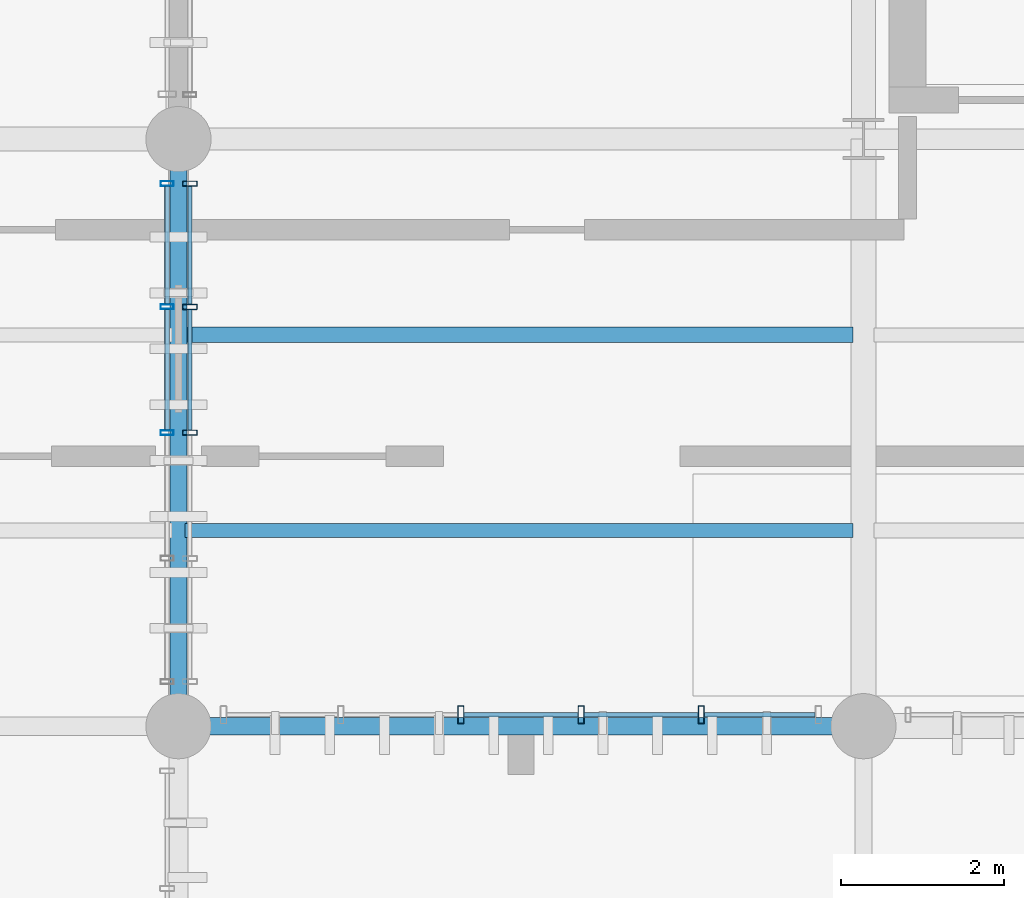
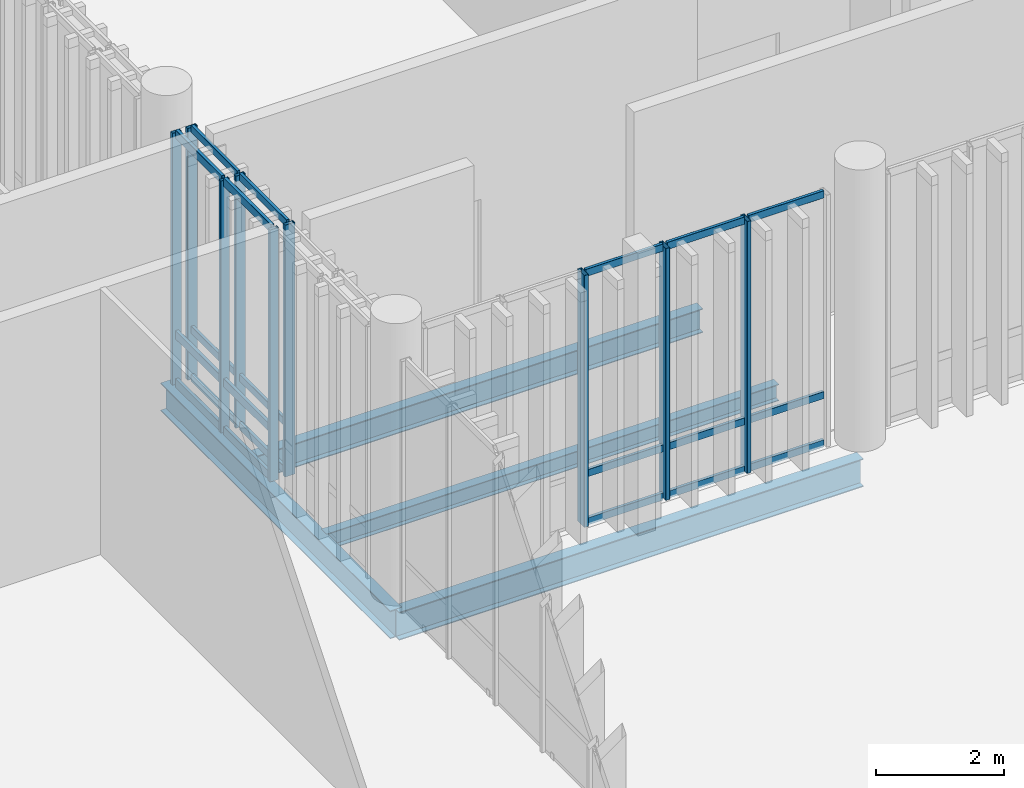
# One storey, part 32 of 112: 30 members, 4 beams, 3 elements without a shape of their own.
"""IFC4 building model written with IfcOpenShell, lengths in metres."""

from ifc_helpers import new_model, si_unit, direction, frame, origin_with_axes, origin_2d_with_axis, place, context, subcontext, project, spatial, hollow_rectangle, i_section, extrude, material, material_profile, profile_set, type_object, element, aggregate, save


model = new_model("IFC4")

# Units and contexts
model_context = context("Model", 3, precision=1e-05, world=origin_with_axes(), true_north=direction((0.0, 1.0)))
body_context = subcontext(model_context, "Body", "Model", "MODEL_VIEW")
ifc_project = project(units=[si_unit("LENGTHUNIT", "METRE"), si_unit("AREAUNIT", "SQUARE_METRE"), si_unit("VOLUMEUNIT", "CUBIC_METRE"), si_unit("PLANEANGLEUNIT", "RADIAN"), si_unit("MASSUNIT", "GRAM", prefix="KILO"), si_unit("THERMODYNAMICTEMPERATUREUNIT", "KELVIN")], contexts=[model_context])

# Site, building, storey
site_placement = place(None, origin_with_axes())
site = spatial("IfcSite", under=ifc_project, at=site_placement, CompositionType="ELEMENT")
building_placement = place(site_placement, origin_with_axes())
building = spatial("IfcBuilding", under=site, at=building_placement, Name="Montbau Bow Law Courts", CompositionType="ELEMENT")
storey_placement = place(building_placement, origin_with_axes())
storey = spatial("IfcBuildingStorey", under=building, at=storey_placement, Name="L00", CompositionType="ELEMENT", Elevation=0.0)

# Beams
ifc_material_1 = material(Name="Steel CSA G40.21 Grade 350W (350 MPa)", Category="steel")
ifc_material_profile_1 = material_profile(ifc_material_1, i_section(OverallWidth=0.21, OverallDepth=0.537, WebThickness=0.0109, FlangeThickness=0.0174, at=origin_2d_with_axis()), Name="W530X101", Category="Main", Priority=0)
ifc_profile_set_1 = profile_set([ifc_material_profile_1], Name="Steel CSA G40.21 Grade 350W (350 MPa)")
beam_type_1 = type_object("IfcBeamType", Name="B-FLR-06", PredefinedType="BEAM", material=ifc_profile_set_1)
beam_1_placement = place(None, frame((46.8, 39.0, -0.609), z_axis=(1.0, 0.0, 0.0), x_axis=(0.0, 1.0, 0.0)))
element("IfcBeam", 1, at=beam_1_placement, inside=storey, type_object=beam_type_1, Name="BM-L00-S0188:bm2_0191", PredefinedType="BEAM", context=body_context, shape_type="SweptSolid", body=[
    extrude(i_section(OverallWidth=0.21, OverallDepth=0.537, WebThickness=0.0109, FlangeThickness=0.0174, at=origin_2d_with_axis()), origin_with_axes(), (0.0, 0.0, 1.0), 8.4),
])
beam_2_placement = place(None, frame((46.8, 39.0, -0.609), z_axis=(0.0, 1.0, 0.0), x_axis=(-1.0, 0.0, 0.0)))
element("IfcBeam", 2, at=beam_2_placement, inside=storey, type_object=beam_type_1, Name="BM-L00-S0271:bm2_0274", PredefinedType="BEAM", context=body_context, shape_type="SweptSolid", body=[
    extrude(i_section(OverallWidth=0.21, OverallDepth=0.537, WebThickness=0.0109, FlangeThickness=0.0174, at=origin_2d_with_axis()), origin_with_axes(), (0.0, 0.0, 1.0), 7.2),
])
ifc_material_profile_2 = material_profile(ifc_material_1, i_section(OverallWidth=0.191, OverallDepth=0.46, WebThickness=0.0099, FlangeThickness=0.016, at=origin_2d_with_axis()), Name="W460X82", Category="Main", Priority=0)
ifc_profile_set_2 = profile_set([ifc_material_profile_2], Name="Steel CSA G40.21 Grade 350W (350 MPa)")
beam_type_2 = type_object("IfcBeamType", Name="B-JST-01", PredefinedType="JOIST", material=ifc_profile_set_2)
beam_3_placement = place(None, frame((46.881, 43.8, -0.57), z_axis=(1.0, 0.0, 0.0), x_axis=(0.0, 1.0, 0.0)))
element("IfcBeam", 3, at=beam_3_placement, inside=storey, type_object=beam_type_2, Name="JST-L00-S0048:jst2_0048", PredefinedType="JOIST", context=body_context, shape_type="SweptSolid", body=[
    extrude(i_section(OverallWidth=0.191, OverallDepth=0.46, WebThickness=0.0099, FlangeThickness=0.016, at=origin_2d_with_axis()), origin_with_axes(), (0.0, 0.0, 1.0), 8.19),
])
ifc_material_profile_3 = material_profile(ifc_material_1, i_section(OverallWidth=0.166, OverallDepth=0.313, WebThickness=0.0066, FlangeThickness=0.0112, at=origin_2d_with_axis()), Name="W310X45", Category="Main", Priority=0)
ifc_profile_set_3 = profile_set([ifc_material_profile_3], Name="Steel CSA G40.21 Grade 350W (350 MPa)")
beam_type_3 = type_object("IfcBeamType", Name="B-JST-04", PredefinedType="JOIST", material=ifc_profile_set_3)
beam_4_placement = place(None, frame((46.881, 41.4, -0.497), z_axis=(1.0, 0.0, 0.0), x_axis=(0.0, 1.0, 0.0)))
element("IfcBeam", 4, at=beam_4_placement, inside=storey, type_object=beam_type_3, Name="JST-L00-S0047:jst2_0047", PredefinedType="JOIST", context=body_context, shape_type="SweptSolid", body=[
    extrude(i_section(OverallWidth=0.166, OverallDepth=0.313, WebThickness=0.0066, FlangeThickness=0.0112, at=origin_2d_with_axis()), origin_with_axes(), (0.0, 0.0, 1.0), 8.19),
])

# Curtain wall, members
ifc_material_2 = material(Name="Thermally Broken Extruded Aluminium AA 6063-T6", Category="aluminium")
curtain_wall_type_1 = type_object("IfcCurtainWallType", Name="CW-CRM-01", PredefinedType="NOTDEFINED", material=ifc_material_2)
curtain_wall_1_placement = place(None, frame((47.315, 39.14, 0.0), z_axis=(0.0, 0.0, 1.0), x_axis=(1.0, 0.0, 0.0)))
curtain_wall_1 = element("IfcCurtainWall", 5, at=curtain_wall_1_placement, inside=storey, type_object=curtain_wall_type_1, Name="CW-L00-123:cw_0123", PredefinedType="NOTDEFINED")
ifc_material_profile_4 = material_profile(ifc_material_2, hollow_rectangle(XDim=0.075, YDim=0.22, WallThickness=0.005, InnerFilletRadius=0.01, OuterFilletRadius=0.005, at=origin_2d_with_axis()), Name="CWM-220X75", Category="Main", Priority=0)
ifc_profile_set_4 = profile_set([ifc_material_profile_4], Name="Thermally Broken Extruded Aluminium AA 6063-T6")
member_type_1 = type_object("IfcMemberType", Name="M-MUL-01", PredefinedType="MULLION", material=ifc_profile_set_4)
member_1_placement = place(None, frame((50.263, 39.14, 0.0), z_axis=(0.0, 0.0, 1.0), x_axis=(1.0, 0.0, 0.0)))
member_1 = element("IfcMember", 6, at=member_1_placement, type_object=member_type_1, Name="CW-L00-123-M03:cw_0123_M03", PredefinedType="MULLION", context=body_context, shape_type="SweptSolid", body=[
    extrude(hollow_rectangle(XDim=0.075, YDim=0.22, WallThickness=0.005, InnerFilletRadius=0.01, OuterFilletRadius=0.005, at=origin_2d_with_axis()), origin_with_axes(), (0.0, 0.0, 1.0), 4.82),
])
member_2_placement = place(None, frame((51.737, 39.14, 0.0), z_axis=(0.0, 0.0, 1.0), x_axis=(1.0, 0.0, 0.0)))
member_2 = element("IfcMember", 7, at=member_2_placement, type_object=member_type_1, Name="CW-L00-123-M04:cw_0123_M04", PredefinedType="MULLION", context=body_context, shape_type="SweptSolid", body=[
    extrude(hollow_rectangle(XDim=0.075, YDim=0.22, WallThickness=0.005, InnerFilletRadius=0.01, OuterFilletRadius=0.005, at=origin_2d_with_axis()), origin_with_axes(), (0.0, 0.0, 1.0), 4.82),
])
member_3_placement = place(None, frame((53.211, 39.14, 0.0), z_axis=(0.0, 0.0, 1.0), x_axis=(1.0, 0.0, 0.0)))
member_3 = element("IfcMember", 8, at=member_3_placement, type_object=member_type_1, Name="CW-L00-123-M05:cw_0123_M05", PredefinedType="MULLION", context=body_context, shape_type="SweptSolid", body=[
    extrude(hollow_rectangle(XDim=0.075, YDim=0.22, WallThickness=0.005, InnerFilletRadius=0.01, OuterFilletRadius=0.005, at=origin_2d_with_axis()), origin_with_axes(), (0.0, 0.0, 1.0), 4.82),
])

curtain_wall_2_placement = place(None, frame((46.94, 39.515, 0.0), z_axis=(0.0, 0.0, 1.0), x_axis=(1.0, 0.0, 0.0)))
curtain_wall_2 = element("IfcCurtainWall", 9, at=curtain_wall_2_placement, inside=storey, type_object=curtain_wall_type_1, Name="CW-L00-133:cw_0133", PredefinedType="NOTDEFINED")
ifc_material_profile_5 = material_profile(ifc_material_2, hollow_rectangle(XDim=0.065, YDim=0.18, WallThickness=0.005, InnerFilletRadius=0.01, OuterFilletRadius=0.005, at=origin_2d_with_axis()), Name="CWM-180X65", Category="Main", Priority=0)
ifc_profile_set_5 = profile_set([ifc_material_profile_5], Name="Thermally Broken Extruded Aluminium AA 6063-T6")
member_type_2 = type_object("IfcMemberType", Name="M-MUL-02", PredefinedType="MULLION", material=ifc_profile_set_5)
member_4_placement = place(None, frame((46.94, 42.6, 0.0), z_axis=(0.0, 0.0, 1.0), x_axis=(0.0, 1.0, 0.0)))
member_4 = element("IfcMember", 10, at=member_4_placement, type_object=member_type_2, Name="CW-L00-133-M03:cw_0133_M03", PredefinedType="MULLION", context=body_context, shape_type="SweptSolid", body=[
    extrude(hollow_rectangle(XDim=0.065, YDim=0.18, WallThickness=0.005, InnerFilletRadius=0.01, OuterFilletRadius=0.005, at=origin_2d_with_axis()), origin_with_axes(), (0.0, 0.0, 1.0), 4.82),
])
member_5_placement = place(None, frame((46.94, 44.143, 0.0), z_axis=(0.0, 0.0, 1.0), x_axis=(0.0, 1.0, 0.0)))
member_5 = element("IfcMember", 11, at=member_5_placement, type_object=member_type_2, Name="CW-L00-133-M04:cw_0133_M04", PredefinedType="MULLION", context=body_context, shape_type="SweptSolid", body=[
    extrude(hollow_rectangle(XDim=0.065, YDim=0.18, WallThickness=0.005, InnerFilletRadius=0.01, OuterFilletRadius=0.005, at=origin_2d_with_axis()), origin_with_axes(), (0.0, 0.0, 1.0), 4.82),
])
member_6_placement = place(None, frame((46.94, 45.653, 0.0), z_axis=(0.0, 0.0, 1.0), x_axis=(0.0, 1.0, 0.0)))
member_6 = element("IfcMember", 12, at=member_6_placement, type_object=member_type_2, Name="CW-L00-133-M05:cw_0133_M05", PredefinedType="MULLION", context=body_context, shape_type="SweptSolid", body=[
    extrude(hollow_rectangle(XDim=0.065, YDim=0.18, WallThickness=0.005, InnerFilletRadius=0.01, OuterFilletRadius=0.005, at=origin_2d_with_axis()), origin_with_axes(), (0.0, 0.0, 1.0), 4.82),
])

curtain_wall_type_2 = type_object("IfcCurtainWallType", Name="CW-TRC-01", PredefinedType="NOTDEFINED", material=ifc_material_2)
curtain_wall_3_placement = place(None, frame((46.66, 39.515, 0.0), z_axis=(0.0, 0.0, 1.0), x_axis=(1.0, 0.0, 0.0)))
curtain_wall_3 = element("IfcCurtainWall", 13, at=curtain_wall_3_placement, inside=storey, type_object=curtain_wall_type_2, Name="CW-L00-014:cw_0014", PredefinedType="NOTDEFINED")
ifc_material_profile_6 = material_profile(ifc_material_2, hollow_rectangle(XDim=0.06, YDim=0.16, WallThickness=0.004, InnerFilletRadius=0.008, OuterFilletRadius=0.004, at=origin_2d_with_axis()), Name="CWM-160X60", Category="Main", Priority=0)
ifc_profile_set_6 = profile_set([ifc_material_profile_6], Name="Thermally Broken Extruded Aluminium AA 6063-T6")
member_type_3 = type_object("IfcMemberType", Name="M-MUL-03", PredefinedType="MULLION", material=ifc_profile_set_6)
member_7_placement = place(None, frame((46.66, 42.6, 0.0), z_axis=(0.0, 0.0, 1.0), x_axis=(0.0, 1.0, 0.0)))
member_7 = element("IfcMember", 14, at=member_7_placement, type_object=member_type_3, Name="CW-L00-014-M03:cw_0014_M03", PredefinedType="MULLION", context=body_context, shape_type="SweptSolid", body=[
    extrude(hollow_rectangle(XDim=0.06, YDim=0.16, WallThickness=0.004, InnerFilletRadius=0.008, OuterFilletRadius=0.004, at=origin_2d_with_axis()), origin_with_axes(), (0.0, 0.0, 1.0), 4.82),
])
member_8_placement = place(None, frame((46.66, 44.143, 0.0), z_axis=(0.0, 0.0, 1.0), x_axis=(0.0, 1.0, 0.0)))
member_8 = element("IfcMember", 15, at=member_8_placement, type_object=member_type_3, Name="CW-L00-014-M04:cw_0014_M04", PredefinedType="MULLION", context=body_context, shape_type="SweptSolid", body=[
    extrude(hollow_rectangle(XDim=0.06, YDim=0.16, WallThickness=0.004, InnerFilletRadius=0.008, OuterFilletRadius=0.004, at=origin_2d_with_axis()), origin_with_axes(), (0.0, 0.0, 1.0), 4.82),
])
member_9_placement = place(None, frame((46.66, 45.655, 0.0), z_axis=(0.0, 0.0, 1.0), x_axis=(0.0, 1.0, 0.0)))
member_9 = element("IfcMember", 16, at=member_9_placement, type_object=member_type_3, Name="CW-L00-014-M05:cw_0014_M05", PredefinedType="MULLION", context=body_context, shape_type="SweptSolid", body=[
    extrude(hollow_rectangle(XDim=0.06, YDim=0.16, WallThickness=0.004, InnerFilletRadius=0.008, OuterFilletRadius=0.004, at=origin_2d_with_axis()), origin_with_axes(), (0.0, 0.0, 1.0), 4.82),
])
ifc_material_profile_7 = material_profile(ifc_material_2, hollow_rectangle(XDim=0.06, YDim=0.16, WallThickness=0.004, InnerFilletRadius=0.008, OuterFilletRadius=0.004, at=origin_2d_with_axis()), Name="CWT-160X60", Category="Main", Priority=0)
ifc_profile_set_7 = profile_set([ifc_material_profile_7], Name="Thermally Broken Extruded Aluminium AA 6063-T6")
member_type_4 = type_object("IfcMemberType", Name="M-TRN-01", PredefinedType="USERDEFINED", material=ifc_profile_set_7)
member_10_placement = place(None, frame((46.66, 42.632, 0.03), z_axis=(0.0, 1.0, 0.0), x_axis=(-1.0, 0.0, 0.0)))
member_10 = element("IfcMember", 17, at=member_10_placement, type_object=member_type_4, Name="CW-L00-014-T03-1:cw_0014_T03_1", ObjectType="TRANSOM", PredefinedType="USERDEFINED", context=body_context, shape_type="SweptSolid", body=[
    extrude(hollow_rectangle(XDim=0.06, YDim=0.16, WallThickness=0.004, InnerFilletRadius=0.008, OuterFilletRadius=0.004, at=origin_2d_with_axis()), origin_with_axes(), (0.0, 0.0, 1.0), 1.479),
])
member_11_placement = place(None, frame((46.66, 42.632, 0.95), z_axis=(0.0, 1.0, 0.0), x_axis=(-1.0, 0.0, 0.0)))
member_11 = element("IfcMember", 18, at=member_11_placement, type_object=member_type_4, Name="CW-L00-014-T03-2:cw_0014_T03_2", ObjectType="TRANSOM", PredefinedType="USERDEFINED", context=body_context, shape_type="SweptSolid", body=[
    extrude(hollow_rectangle(XDim=0.06, YDim=0.16, WallThickness=0.004, InnerFilletRadius=0.008, OuterFilletRadius=0.004, at=origin_2d_with_axis()), origin_with_axes(), (0.0, 0.0, 1.0), 1.479),
])
member_12_placement = place(None, frame((46.66, 42.632, 4.79), z_axis=(0.0, 1.0, 0.0), x_axis=(-1.0, 0.0, 0.0)))
member_12 = element("IfcMember", 19, at=member_12_placement, type_object=member_type_4, Name="CW-L00-014-T03-3:cw_0014_T03_3", ObjectType="TRANSOM", PredefinedType="USERDEFINED", context=body_context, shape_type="SweptSolid", body=[
    extrude(hollow_rectangle(XDim=0.06, YDim=0.16, WallThickness=0.004, InnerFilletRadius=0.008, OuterFilletRadius=0.004, at=origin_2d_with_axis()), origin_with_axes(), (0.0, 0.0, 1.0), 1.479),
])
member_13_placement = place(None, frame((46.66, 44.175, 0.03), z_axis=(0.0, 1.0, 0.0), x_axis=(-1.0, 0.0, 0.0)))
member_13 = element("IfcMember", 20, at=member_13_placement, type_object=member_type_4, Name="CW-L00-014-T04-1:cw_0014_T04_1", ObjectType="TRANSOM", PredefinedType="USERDEFINED", context=body_context, shape_type="SweptSolid", body=[
    extrude(hollow_rectangle(XDim=0.06, YDim=0.16, WallThickness=0.004, InnerFilletRadius=0.008, OuterFilletRadius=0.004, at=origin_2d_with_axis()), origin_with_axes(), (0.0, 0.0, 1.0), 1.448),
])
member_14_placement = place(None, frame((46.66, 44.175, 0.95), z_axis=(0.0, 1.0, 0.0), x_axis=(-1.0, 0.0, 0.0)))
member_14 = element("IfcMember", 21, at=member_14_placement, type_object=member_type_4, Name="CW-L00-014-T04-2:cw_0014_T04_2", ObjectType="TRANSOM", PredefinedType="USERDEFINED", context=body_context, shape_type="SweptSolid", body=[
    extrude(hollow_rectangle(XDim=0.06, YDim=0.16, WallThickness=0.004, InnerFilletRadius=0.008, OuterFilletRadius=0.004, at=origin_2d_with_axis()), origin_with_axes(), (0.0, 0.0, 1.0), 1.448),
])
member_15_placement = place(None, frame((46.66, 44.175, 4.79), z_axis=(0.0, 1.0, 0.0), x_axis=(-1.0, 0.0, 0.0)))
member_15 = element("IfcMember", 22, at=member_15_placement, type_object=member_type_4, Name="CW-L00-014-T04-3:cw_0014_T04_3", ObjectType="TRANSOM", PredefinedType="USERDEFINED", context=body_context, shape_type="SweptSolid", body=[
    extrude(hollow_rectangle(XDim=0.06, YDim=0.16, WallThickness=0.004, InnerFilletRadius=0.008, OuterFilletRadius=0.004, at=origin_2d_with_axis()), origin_with_axes(), (0.0, 0.0, 1.0), 1.448),
])
aggregate(curtain_wall_3, [member_7, member_8, member_9, member_10, member_11, member_12, member_13, member_14, member_15])

# Member
ifc_material_profile_8 = material_profile(ifc_material_2, hollow_rectangle(XDim=0.055, YDim=0.14, WallThickness=0.004, InnerFilletRadius=0.008, OuterFilletRadius=0.004, at=origin_2d_with_axis()), Name="CWT-140X55", Category="Main", Priority=0)
ifc_profile_set_8 = profile_set([ifc_material_profile_8], Name="Thermally Broken Extruded Aluminium AA 6063-T6")
member_type_5 = type_object("IfcMemberType", Name="M-TRN-02", PredefinedType="USERDEFINED", material=ifc_profile_set_8)
member_16_placement = place(None, frame((50.302, 39.14, 0.028), z_axis=(1.0, 0.0, 0.0), x_axis=(0.0, 1.0, 0.0)))
member_16 = element("IfcMember", 23, at=member_16_placement, type_object=member_type_5, Name="CW-L00-123-T03-1:cw_0123_T03_1", ObjectType="TRANSOM", PredefinedType="USERDEFINED", context=body_context, shape_type="SweptSolid", body=[
    extrude(hollow_rectangle(XDim=0.055, YDim=0.14, WallThickness=0.004, InnerFilletRadius=0.008, OuterFilletRadius=0.004, at=origin_2d_with_axis()), origin_with_axes(), (0.0, 0.0, 1.0), 1.396),
])

member_17_placement = place(None, frame((50.302, 39.14, 0.95), z_axis=(1.0, 0.0, 0.0), x_axis=(0.0, 1.0, 0.0)))
member_17 = element("IfcMember", 24, at=member_17_placement, type_object=member_type_5, Name="CW-L00-123-T03-2:cw_0123_T03_2", ObjectType="TRANSOM", PredefinedType="USERDEFINED", context=body_context, shape_type="SweptSolid", body=[
    extrude(hollow_rectangle(XDim=0.055, YDim=0.14, WallThickness=0.004, InnerFilletRadius=0.008, OuterFilletRadius=0.004, at=origin_2d_with_axis()), origin_with_axes(), (0.0, 0.0, 1.0), 1.396),
])

member_18_placement = place(None, frame((50.302, 39.14, 4.793), z_axis=(1.0, 0.0, 0.0), x_axis=(0.0, 1.0, 0.0)))
member_18 = element("IfcMember", 25, at=member_18_placement, type_object=member_type_5, Name="CW-L00-123-T03-3:cw_0123_T03_3", ObjectType="TRANSOM", PredefinedType="USERDEFINED", context=body_context, shape_type="SweptSolid", body=[
    extrude(hollow_rectangle(XDim=0.055, YDim=0.14, WallThickness=0.004, InnerFilletRadius=0.008, OuterFilletRadius=0.004, at=origin_2d_with_axis()), origin_with_axes(), (0.0, 0.0, 1.0), 1.396),
])

member_19_placement = place(None, frame((51.776, 39.14, 0.028), z_axis=(1.0, 0.0, 0.0), x_axis=(0.0, 1.0, 0.0)))
member_19 = element("IfcMember", 26, at=member_19_placement, type_object=member_type_5, Name="CW-L00-123-T04-1:cw_0123_T04_1", ObjectType="TRANSOM", PredefinedType="USERDEFINED", context=body_context, shape_type="SweptSolid", body=[
    extrude(hollow_rectangle(XDim=0.055, YDim=0.14, WallThickness=0.004, InnerFilletRadius=0.008, OuterFilletRadius=0.004, at=origin_2d_with_axis()), origin_with_axes(), (0.0, 0.0, 1.0), 1.396),
])

member_20_placement = place(None, frame((51.776, 39.14, 0.95), z_axis=(1.0, 0.0, 0.0), x_axis=(0.0, 1.0, 0.0)))
member_20 = element("IfcMember", 27, at=member_20_placement, type_object=member_type_5, Name="CW-L00-123-T04-2:cw_0123_T04_2", ObjectType="TRANSOM", PredefinedType="USERDEFINED", context=body_context, shape_type="SweptSolid", body=[
    extrude(hollow_rectangle(XDim=0.055, YDim=0.14, WallThickness=0.004, InnerFilletRadius=0.008, OuterFilletRadius=0.004, at=origin_2d_with_axis()), origin_with_axes(), (0.0, 0.0, 1.0), 1.396),
])

member_21_placement = place(None, frame((51.776, 39.14, 4.793), z_axis=(1.0, 0.0, 0.0), x_axis=(0.0, 1.0, 0.0)))
member_21 = element("IfcMember", 28, at=member_21_placement, type_object=member_type_5, Name="CW-L00-123-T04-3:cw_0123_T04_3", ObjectType="TRANSOM", PredefinedType="USERDEFINED", context=body_context, shape_type="SweptSolid", body=[
    extrude(hollow_rectangle(XDim=0.055, YDim=0.14, WallThickness=0.004, InnerFilletRadius=0.008, OuterFilletRadius=0.004, at=origin_2d_with_axis()), origin_with_axes(), (0.0, 0.0, 1.0), 1.396),
])

member_22_placement = place(None, frame((53.25, 39.14, 0.028), z_axis=(1.0, 0.0, 0.0), x_axis=(0.0, 1.0, 0.0)))
member_22 = element("IfcMember", 29, at=member_22_placement, type_object=member_type_5, Name="CW-L00-123-T05-1:cw_0123_T05_1", ObjectType="TRANSOM", PredefinedType="USERDEFINED", context=body_context, shape_type="SweptSolid", body=[
    extrude(hollow_rectangle(XDim=0.055, YDim=0.14, WallThickness=0.004, InnerFilletRadius=0.008, OuterFilletRadius=0.004, at=origin_2d_with_axis()), origin_with_axes(), (0.0, 0.0, 1.0), 1.359),
])

member_23_placement = place(None, frame((53.25, 39.14, 0.95), z_axis=(1.0, 0.0, 0.0), x_axis=(0.0, 1.0, 0.0)))
member_23 = element("IfcMember", 30, at=member_23_placement, type_object=member_type_5, Name="CW-L00-123-T05-2:cw_0123_T05_2", ObjectType="TRANSOM", PredefinedType="USERDEFINED", context=body_context, shape_type="SweptSolid", body=[
    extrude(hollow_rectangle(XDim=0.055, YDim=0.14, WallThickness=0.004, InnerFilletRadius=0.008, OuterFilletRadius=0.004, at=origin_2d_with_axis()), origin_with_axes(), (0.0, 0.0, 1.0), 1.359),
])

member_24_placement = place(None, frame((53.25, 39.14, 4.793), z_axis=(1.0, 0.0, 0.0), x_axis=(0.0, 1.0, 0.0)))
member_24 = element("IfcMember", 31, at=member_24_placement, type_object=member_type_5, Name="CW-L00-123-T05-3:cw_0123_T05_3", ObjectType="TRANSOM", PredefinedType="USERDEFINED", context=body_context, shape_type="SweptSolid", body=[
    extrude(hollow_rectangle(XDim=0.055, YDim=0.14, WallThickness=0.004, InnerFilletRadius=0.008, OuterFilletRadius=0.004, at=origin_2d_with_axis()), origin_with_axes(), (0.0, 0.0, 1.0), 1.359),
])

aggregate(curtain_wall_1, [member_1, member_2, member_3, member_16, member_17, member_18, member_19, member_20, member_21, member_22, member_23, member_24])

member_25_placement = place(None, frame((46.94, 42.634, 0.028), z_axis=(0.0, 1.0, 0.0), x_axis=(-1.0, 0.0, 0.0)))
member_25 = element("IfcMember", 32, at=member_25_placement, type_object=member_type_5, Name="CW-L00-133-T03-1:cw_0133_T03_1", ObjectType="TRANSOM", PredefinedType="USERDEFINED", context=body_context, shape_type="SweptSolid", body=[
    extrude(hollow_rectangle(XDim=0.055, YDim=0.14, WallThickness=0.004, InnerFilletRadius=0.008, OuterFilletRadius=0.004, at=origin_2d_with_axis()), origin_with_axes(), (0.0, 0.0, 1.0), 1.475),
])

member_26_placement = place(None, frame((46.94, 42.634, 0.95), z_axis=(0.0, 1.0, 0.0), x_axis=(-1.0, 0.0, 0.0)))
member_26 = element("IfcMember", 33, at=member_26_placement, type_object=member_type_5, Name="CW-L00-133-T03-2:cw_0133_T03_2", ObjectType="TRANSOM", PredefinedType="USERDEFINED", context=body_context, shape_type="SweptSolid", body=[
    extrude(hollow_rectangle(XDim=0.055, YDim=0.14, WallThickness=0.004, InnerFilletRadius=0.008, OuterFilletRadius=0.004, at=origin_2d_with_axis()), origin_with_axes(), (0.0, 0.0, 1.0), 1.475),
])

member_27_placement = place(None, frame((46.94, 42.634, 4.793), z_axis=(0.0, 1.0, 0.0), x_axis=(-1.0, 0.0, 0.0)))
member_27 = element("IfcMember", 34, at=member_27_placement, type_object=member_type_5, Name="CW-L00-133-T03-3:cw_0133_T03_3", ObjectType="TRANSOM", PredefinedType="USERDEFINED", context=body_context, shape_type="SweptSolid", body=[
    extrude(hollow_rectangle(XDim=0.055, YDim=0.14, WallThickness=0.004, InnerFilletRadius=0.008, OuterFilletRadius=0.004, at=origin_2d_with_axis()), origin_with_axes(), (0.0, 0.0, 1.0), 1.475),
])

member_28_placement = place(None, frame((46.94, 44.177, 0.028), z_axis=(0.0, 1.0, 0.0), x_axis=(-1.0, 0.0, 0.0)))
member_28 = element("IfcMember", 35, at=member_28_placement, type_object=member_type_5, Name="CW-L00-133-T04-1:cw_0133_T04_1", ObjectType="TRANSOM", PredefinedType="USERDEFINED", context=body_context, shape_type="SweptSolid", body=[
    extrude(hollow_rectangle(XDim=0.055, YDim=0.14, WallThickness=0.004, InnerFilletRadius=0.008, OuterFilletRadius=0.004, at=origin_2d_with_axis()), origin_with_axes(), (0.0, 0.0, 1.0), 1.442),
])

member_29_placement = place(None, frame((46.94, 44.177, 0.95), z_axis=(0.0, 1.0, 0.0), x_axis=(-1.0, 0.0, 0.0)))
member_29 = element("IfcMember", 36, at=member_29_placement, type_object=member_type_5, Name="CW-L00-133-T04-2:cw_0133_T04_2", ObjectType="TRANSOM", PredefinedType="USERDEFINED", context=body_context, shape_type="SweptSolid", body=[
    extrude(hollow_rectangle(XDim=0.055, YDim=0.14, WallThickness=0.004, InnerFilletRadius=0.008, OuterFilletRadius=0.004, at=origin_2d_with_axis()), origin_with_axes(), (0.0, 0.0, 1.0), 1.442),
])

member_30_placement = place(None, frame((46.94, 44.177, 4.793), z_axis=(0.0, 1.0, 0.0), x_axis=(-1.0, 0.0, 0.0)))
member_30 = element("IfcMember", 37, at=member_30_placement, type_object=member_type_5, Name="CW-L00-133-T04-3:cw_0133_T04_3", ObjectType="TRANSOM", PredefinedType="USERDEFINED", context=body_context, shape_type="SweptSolid", body=[
    extrude(hollow_rectangle(XDim=0.055, YDim=0.14, WallThickness=0.004, InnerFilletRadius=0.008, OuterFilletRadius=0.004, at=origin_2d_with_axis()), origin_with_axes(), (0.0, 0.0, 1.0), 1.442),
])

aggregate(curtain_wall_2, [member_4, member_5, member_6, member_25, member_26, member_27, member_28, member_29, member_30])

save(model, "model.ifc")
